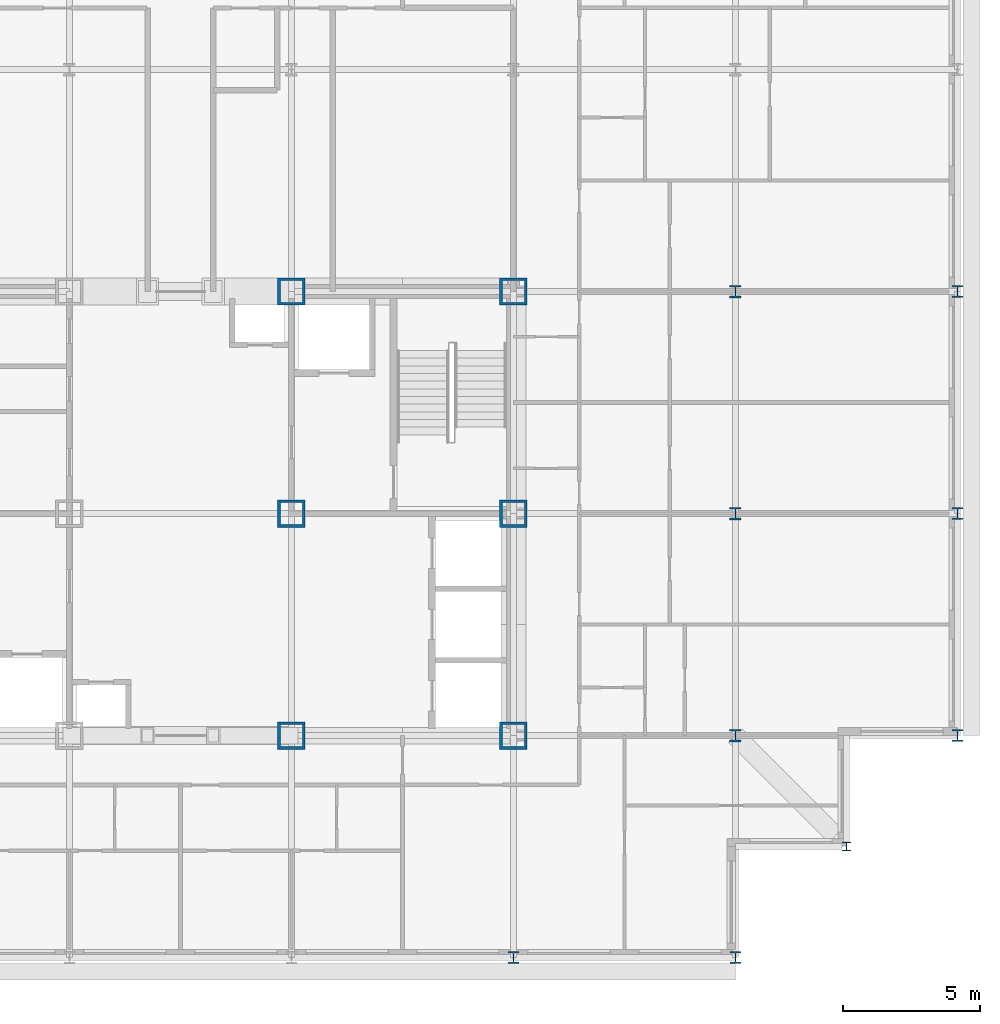
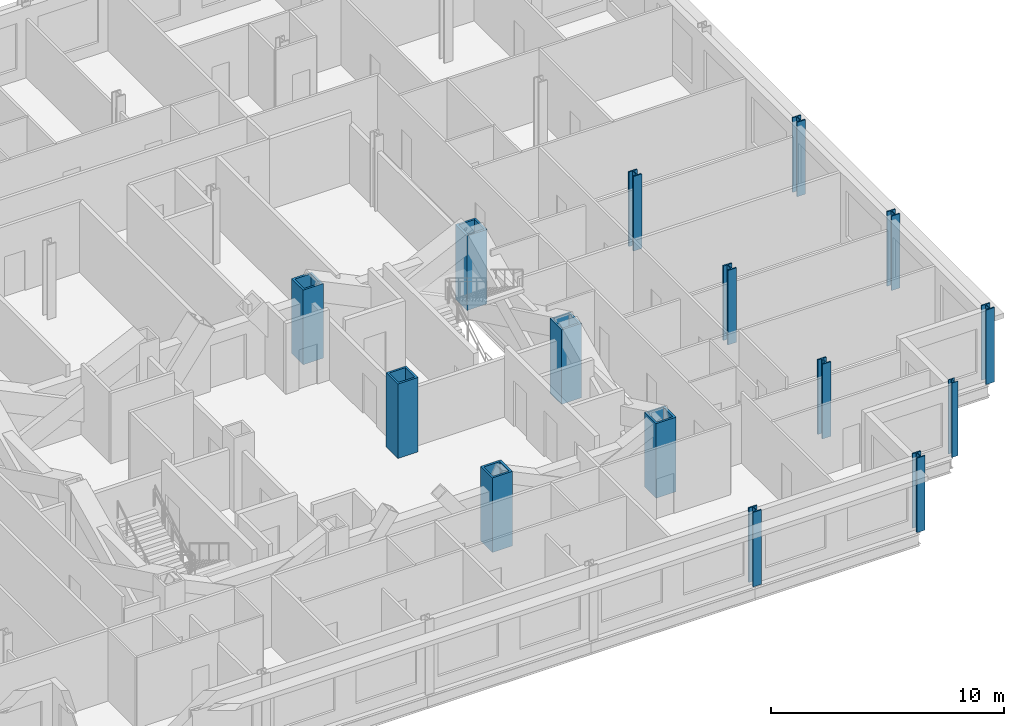
# One storey, part 2 of 15: 15 columns.
"""IFC4 building model written with IfcOpenShell, lengths in metres."""

from ifc_helpers import new_model, si_unit, direction, frame, origin, origin_2d, place, context, subcontext, project, spatial, hollow_rectangle, i_section, extrude, material, material_profile, profile_set, type_object, element, save


model = new_model("IFC4")

# Units and contexts
model_context = context("Model", 3, precision=1e-05, world=origin(), true_north=direction((0.0, 1.0)))
body_context = subcontext(model_context, "Body", "Model", "MODEL_VIEW")
ifc_project = project(units=[si_unit("LENGTHUNIT", "METRE"), si_unit("AREAUNIT", "SQUARE_METRE"), si_unit("VOLUMEUNIT", "CUBIC_METRE"), si_unit("PLANEANGLEUNIT", "RADIAN"), si_unit("MASSUNIT", "GRAM", prefix="KILO")], contexts=[model_context])

# Site, building, storey
site_placement = place(None, origin())
site = spatial("IfcSite", under=ifc_project, at=site_placement, CompositionType="ELEMENT")
building_placement = place(site_placement, origin())
building = spatial("IfcBuilding", under=site, at=building_placement, Name="Kopane Lantern Tower", CompositionType="ELEMENT")
storey_placement = place(building_placement, frame((0.0, 0.0, 254.10009765625)))
storey = spatial("IfcBuildingStorey", under=building, at=storey_placement, Name="L65", CompositionType="ELEMENT", Elevation=254.10009765625)

# Columns
ifc_material_1 = material(Name="Steel S355JR", Category="steel")
ifc_material_profile_1 = material_profile(ifc_material_1, hollow_rectangle(XDim=1.0, YDim=1.0, WallThickness=0.10009765625, at=origin_2d()), Name="BOX 1000x1000x100")
ifc_profile_set_1 = profile_set([ifc_material_profile_1], Name="Steel S355JR")
column_type_1 = type_object("IfcColumnType", Name="COLUMN BOX 1000x1000x100", PredefinedType="COLUMN", material=ifc_profile_set_1)
for number, where, z_axis, x_axis, name in (
    (1, (32.39990234375, 24.300048828125, 0.0), (0.0, 0.0, 1.0), (1.0, 0.0, 0.0), "Column 6/E L65"),
    (2, (32.39990234375, 32.39990234375, 0.0), (0.0, 0.0, 1.0), (1.0, 0.0, 0.0), "Column 6/F L65"),
    (3, (32.39990234375, 40.5, 0.0), (0.0, 0.0, 1.0), (1.0, 0.0, 0.0), "Column 6/G L65"),
    (4, (40.5, 24.300048828125, 0.0), (0.0, 0.0, 1.0), (1.0, 0.0, 0.0), "Column 7/E L65"),
    (5, (40.5, 32.39990234375, 0.0), (0.0, 0.0, 1.0), (1.0, 0.0, 0.0), "Column 7/F L65"),
    (6, (40.5, 40.5, 0.0), (0.0, 0.0, 1.0), (1.0, 0.0, 0.0), "Column 7/G L65"),
):
    element("IfcColumn", number, at=place(storey_placement, frame(where, z_axis=z_axis, x_axis=x_axis)), inside=storey, type_object=column_type_1, Name=name, PredefinedType="COLUMN", context=body_context, shape_type="SweptSolid", body=[
        extrude(hollow_rectangle(XDim=1.0, YDim=1.0, WallThickness=0.10009765625, at=origin_2d()), origin(), (0.0, 0.0, 1.0), 3.89990234375),
    ])
ifc_material_2 = material(Name="Steel S355JR", Category="steel")
ifc_material_profile_2 = material_profile(ifc_material_2, i_section(OverallWidth=0.307373046875, OverallDepth=0.314453125, WebThickness=0.011962890625, FlangeThickness=0.018798828125, FilletRadius=0.01513671875, at=origin_2d()), Name="UC 305x305x118")
ifc_profile_set_2 = profile_set([ifc_material_profile_2], Name="Steel S355JR")
column_type_2 = type_object("IfcColumnType", Name="COLUMN UC 305x305x118", PredefinedType="COLUMN", material=ifc_profile_set_2)
column_placement = place(storey_placement, frame((52.64990234375, 20.25, 0.0), z_axis=(0.0, 0.0, 1.0), x_axis=(1.0, 0.0, 0.0)))
element("IfcColumn", 7, at=column_placement, inside=storey, type_object=column_type_2, Name="Column 52.65/20.25 L65", PredefinedType="COLUMN", context=body_context, shape_type="SweptSolid", body=[
    extrude(i_section(OverallWidth=0.307373046875, OverallDepth=0.314453125, WebThickness=0.011962890625, FlangeThickness=0.018798828125, FilletRadius=0.01513671875, at=origin_2d()), origin(), (0.0, 0.0, 1.0), 3.89990234375),
])
ifc_material_3 = material(Name="Steel S355JR", Category="steel")
ifc_material_profile_3 = material_profile(ifc_material_3, i_section(OverallWidth=0.412109375, OverallDepth=0.4365234375, WebThickness=0.035888671875, FlangeThickness=0.05810546875, FilletRadius=0.01513671875, at=origin_2d()), Name="UC 356x406x467")
ifc_profile_set_3 = profile_set([ifc_material_profile_3], Name="Steel S355JR")
column_type_3 = type_object("IfcColumnType", Name="COLUMN UC 356x406x467", PredefinedType="COLUMN", material=ifc_profile_set_3)
for number, where, z_axis, x_axis, name in (
    (8, (40.5, 16.199951171875, 0.0), (0.0, 0.0, 1.0), (1.0, 0.0, 0.0), "Column 7/D L65"),
    (9, (48.60009765625, 16.199951171875, 0.0), (0.0, 0.0, 1.0), (1.0, 0.0, 0.0), "Column 8/D L65"),
    (10, (56.699951171875, 24.300048828125, 0.0), (0.0, 0.0, 1.0), (1.0, 0.0, 0.0), "Column 9/E L65"),
    (11, (56.699951171875, 32.39990234375, 0.0), (0.0, 0.0, 1.0), (1.0, 0.0, 0.0), "Column 9/F L65"),
    (12, (56.699951171875, 40.5, 0.0), (0.0, 0.0, 1.0), (1.0, 0.0, 0.0), "Column 9/G L65"),
):
    element("IfcColumn", number, at=place(storey_placement, frame(where, z_axis=z_axis, x_axis=x_axis)), inside=storey, type_object=column_type_3, Name=name, PredefinedType="COLUMN", context=body_context, shape_type="SweptSolid", body=[
        extrude(i_section(OverallWidth=0.412109375, OverallDepth=0.4365234375, WebThickness=0.035888671875, FlangeThickness=0.05810546875, FilletRadius=0.01513671875, at=origin_2d()), origin(), (0.0, 0.0, 1.0), 3.89990234375),
    ])
ifc_material_4 = material(Name="Steel S355JR", Category="steel")
ifc_material_profile_4 = material_profile(ifc_material_4, i_section(OverallWidth=0.41845703125, OverallDepth=0.45556640625, WebThickness=0.0419921875, FlangeThickness=0.0673828125, FilletRadius=0.01513671875, at=origin_2d()), Name="UC 356x406x551")
ifc_profile_set_4 = profile_set([ifc_material_profile_4], Name="Steel S355JR")
column_type_4 = type_object("IfcColumnType", Name="COLUMN UC 356x406x551", PredefinedType="COLUMN", material=ifc_profile_set_4)
for number, where, z_axis, x_axis, name in (
    (13, (48.60009765625, 24.300048828125, 0.0), (0.0, 0.0, 1.0), (1.0, 0.0, 0.0), "Column 8/E L65"),
    (14, (48.60009765625, 32.39990234375, 0.0), (0.0, 0.0, 1.0), (1.0, 0.0, 0.0), "Column 8/F L65"),
    (15, (48.60009765625, 40.5, 0.0), (0.0, 0.0, 1.0), (1.0, 0.0, 0.0), "Column 8/G L65"),
):
    element("IfcColumn", number, at=place(storey_placement, frame(where, z_axis=z_axis, x_axis=x_axis)), inside=storey, type_object=column_type_4, Name=name, PredefinedType="COLUMN", context=body_context, shape_type="SweptSolid", body=[
        extrude(i_section(OverallWidth=0.41845703125, OverallDepth=0.45556640625, WebThickness=0.0419921875, FlangeThickness=0.0673828125, FilletRadius=0.01513671875, at=origin_2d()), origin(), (0.0, 0.0, 1.0), 3.89990234375),
    ])

save(model, "model.ifc")
